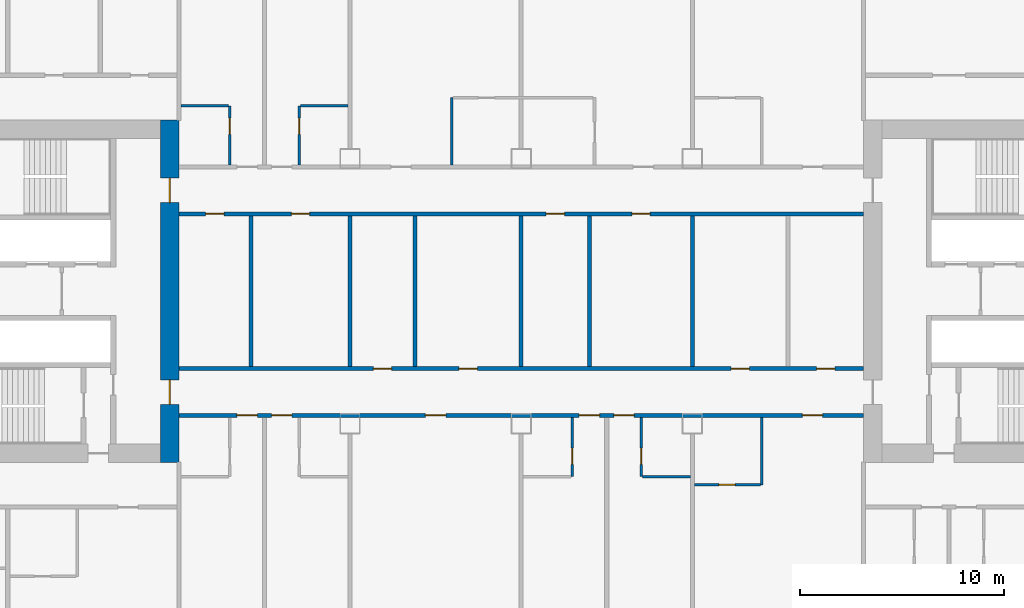
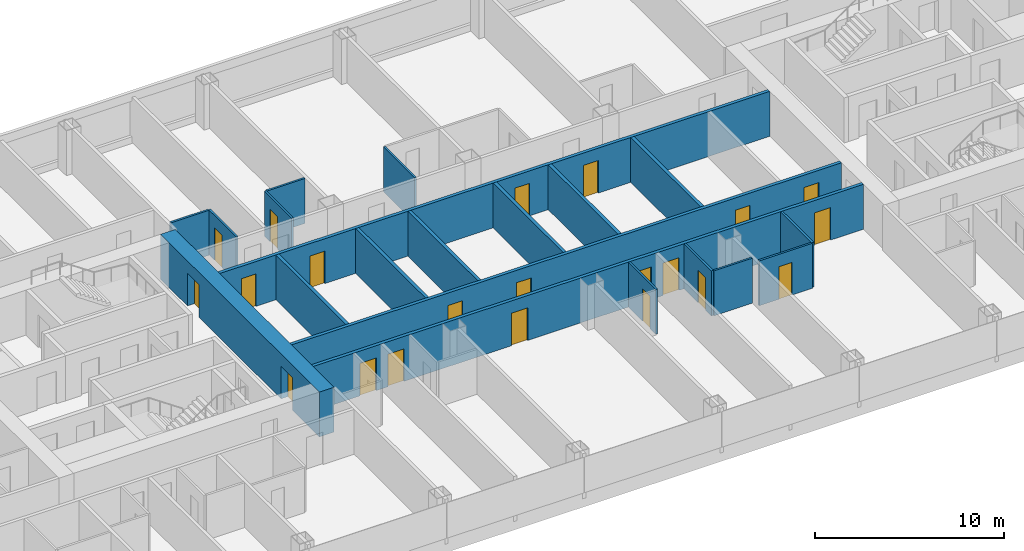
# One storey, part 16 of 29: 21 doors, 20 walls, 21 openings.
"""IFC4 building model written with IfcOpenShell, lengths in metres."""

from ifc_helpers import new_model, si_unit, direction, frame, frame_2d, origin, place, context, subcontext, project, spatial, rectangle, extrude, material, layer, layer_set, type_object, element, fill, save


model = new_model("IFC4")

# Units and contexts
model_context = context("Model", 3, precision=1e-05, world=origin(), true_north=direction((0.0, 1.0)))
body_context = subcontext(model_context, "Body", "Model", "MODEL_VIEW")
ifc_project = project(units=[si_unit("LENGTHUNIT", "METRE"), si_unit("AREAUNIT", "SQUARE_METRE"), si_unit("VOLUMEUNIT", "CUBIC_METRE"), si_unit("PLANEANGLEUNIT", "RADIAN"), si_unit("MASSUNIT", "GRAM", prefix="KILO")], contexts=[model_context])

# Site, building, storey
site_placement = place(None, origin())
site = spatial("IfcSite", under=ifc_project, at=site_placement, CompositionType="ELEMENT")
building_placement = place(site_placement, origin())
building = spatial("IfcBuilding", under=site, at=building_placement, Name="Hakoniwa Tower and Hamabe Station Hall", CompositionType="ELEMENT")
storey_placement = place(building_placement, frame((0.0, 0.0, 61.39990234375)))
storey = spatial("IfcBuildingStorey", under=building, at=storey_placement, Name="L17", CompositionType="ELEMENT", Elevation=61.39990234375)

# Wall, opening, door
ifc_material_1 = material(Name="Gypsum board partition", Category="gypsum")
ifc_layer_1 = layer(ifc_material_1, 0.125)
ifc_layer_set_1 = layer_set([ifc_layer_1], Name="Bathroom Partition 125")
wall_type_1 = type_object("IfcWallType", Name="Bathroom Partition 125", PredefinedType="PARTITIONING", material=ifc_layer_set_1)
wall_1_placement = place(storey_placement, frame((8.5, -9.5, 0.0), z_axis=(0.0, 0.0, 1.0), x_axis=(1.0, 0.0, 0.0)))
wall_1 = element("IfcWall", 1, at=wall_1_placement, inside=storey, type_object=wall_type_1, Name="GW-L17-015", PredefinedType="PARTITIONING", context=body_context, shape_type="SweptSolid", body=[
    extrude(rectangle(XDim=3.237548828125, YDim=0.125, at=frame_2d((1.61865234375, 0.0))), origin(), (0.0, 0.0, 1.0), 2.900146484375),
])
opening_1_placement = place(wall_1_placement, frame((1.199951171875, 0.0, 0.0)))
opening_1 = element("IfcOpeningElement", 2, at=opening_1_placement, cuts=wall_1, Name="Opening GD-G1D2-15", PredefinedType="OPENING", context=body_context, shape_type="SweptSolid", body=[
    extrude(rectangle(XDim=0.800048828125, YDim=2.10009765625, at=frame_2d((0.39990234375, 1.050048828125))), frame((0.0, 0.072509765625, 0.0), z_axis=(0.0, -1.0, 0.0), x_axis=(1.0, 0.0, 0.0)), (0.0, 0.0, 1.0), 0.14501953125),
])
ifc_material_2 = material(Name="Timber door leaf", Category="wood")
door_type_1 = type_object("IfcDoorType", Name="Bathroom Door 800", OperationType="SINGLE_SWING_LEFT", PredefinedType="DOOR", material=ifc_material_2)
door_1_placement = place(opening_1_placement, origin())
door_1 = element("IfcDoor", 3, at=door_1_placement, inside=storey, type_object=door_type_1, Name="Door GD-G1D2-15", OperationType="SINGLE_SWING_RIGHT", OverallHeight=2.10009765625, OverallWidth=0.800048828125, PredefinedType="DOOR", context=body_context, shape_type="SweptSolid", body=[
    extrude(rectangle(XDim=0.800048828125, YDim=2.10009765625, at=frame_2d((0.39990234375, 1.050048828125))), frame((0.0, 0.02490234375, 0.0), z_axis=(0.0, -1.0, 0.0), x_axis=(1.0, 0.0, 0.0)), (0.0, 0.0, 1.0), 0.050048828125),
])
fill(opening_1, door_1)

# Walls
wall_2_placement = place(storey_placement, frame((5.96240234375, -9.10009765625, 0.0), z_axis=(0.0, 0.0, 1.0), x_axis=(1.0, 0.0, 0.0)))
element("IfcWall", 4, at=wall_2_placement, inside=storey, type_object=wall_type_1, Name="GW-L17-019", PredefinedType="PARTITIONING", context=body_context, shape_type="SweptSolid", body=[
    extrude(rectangle(XDim=2.337646484375, YDim=0.125, at=frame_2d((1.1689453125, 0.0))), origin(), (0.0, 0.0, 1.0), 2.900146484375),
])
for number, where, z_axis, x_axis, name in (
    (5, (-16.699951171875, 9.10009765625, 0.0), (0.0, 0.0, 1.0), (1.0, 0.0, 0.0), "GW-L17-038"),
    (6, (-10.83740234375, 9.10009765625, 0.0), (0.0, 0.0, 1.0), (1.0, 0.0, 0.0), "GW-L17-039"),
):
    element("IfcWall", number, at=place(storey_placement, frame(where, z_axis=z_axis, x_axis=x_axis)), inside=storey, type_object=wall_type_1, Name=name, PredefinedType="PARTITIONING", context=body_context, shape_type="SweptSolid", body=[
        extrude(rectangle(XDim=2.33740234375, YDim=0.125, at=frame_2d((1.168701171875, 0.0))), origin(), (0.0, 0.0, 1.0), 2.900146484375),
    ])

# Wall, opening, door
wall_3_placement = place(storey_placement, frame((-14.300048828125, 6.199951171875, 0.0), z_axis=(0.0, 0.0, 1.0), x_axis=(0.0, 1.0, 0.0)))
wall_3 = element("IfcWall", 7, at=wall_3_placement, inside=storey, type_object=wall_type_1, Name="GW-L17-071", PredefinedType="PARTITIONING", context=body_context, shape_type="SweptSolid", body=[
    extrude(rectangle(XDim=2.900146484375, YDim=0.125, at=frame_2d((1.4501953125, 0.0))), origin(), (0.0, 0.0, 1.0), 2.900146484375),
])
opening_2_placement = place(wall_3_placement, frame((1.5, 0.0, 0.0)))
opening_2 = element("IfcOpeningElement", 8, at=opening_2_placement, cuts=wall_3, Name="Opening GD-G1D2-70", PredefinedType="OPENING", context=body_context, shape_type="SweptSolid", body=[
    extrude(rectangle(XDim=0.800048828125, YDim=2.10009765625, at=frame_2d((0.39990234375, 1.050048828125))), frame((0.0, 0.072509765625, 0.0), z_axis=(0.0, -1.0, 0.0), x_axis=(1.0, 0.0, 0.0)), (0.0, 0.0, 1.0), 0.14501953125),
])
door_2_placement = place(opening_2_placement, origin())
door_2 = element("IfcDoor", 9, at=door_2_placement, inside=storey, type_object=door_type_1, Name="Door GD-G1D2-70", OperationType="SINGLE_SWING_LEFT", OverallHeight=2.10009765625, OverallWidth=0.800048828125, PredefinedType="DOOR", context=body_context, shape_type="SweptSolid", body=[
    extrude(rectangle(XDim=0.800048828125, YDim=2.10009765625, at=frame_2d((0.39990234375, 1.050048828125))), frame((0.0, 0.02490234375, 0.0), z_axis=(0.0, -1.0, 0.0), x_axis=(1.0, 0.0, 0.0)), (0.0, 0.0, 1.0), 0.050048828125),
])
fill(opening_2, door_2)

wall_4_placement = place(storey_placement, frame((-10.89990234375, 6.199951171875, 0.0), z_axis=(0.0, 0.0, 1.0), x_axis=(0.0, 1.0, 0.0)))
wall_4 = element("IfcWall", 10, at=wall_4_placement, inside=storey, type_object=wall_type_1, Name="GW-L17-076", PredefinedType="PARTITIONING", context=body_context, shape_type="SweptSolid", body=[
    extrude(rectangle(XDim=2.900146484375, YDim=0.125, at=frame_2d((1.4501953125, 0.0))), origin(), (0.0, 0.0, 1.0), 2.900146484375),
])
opening_3_placement = place(wall_4_placement, frame((1.5, 0.0, 0.0)))
opening_3 = element("IfcOpeningElement", 11, at=opening_3_placement, cuts=wall_4, Name="Opening GD-G1D2-72", PredefinedType="OPENING", context=body_context, shape_type="SweptSolid", body=[
    extrude(rectangle(XDim=0.800048828125, YDim=2.10009765625, at=frame_2d((0.39990234375, 1.050048828125))), frame((0.0, 0.072509765625, 0.0), z_axis=(0.0, -1.0, 0.0), x_axis=(1.0, 0.0, 0.0)), (0.0, 0.0, 1.0), 0.14501953125),
])
door_3_placement = place(opening_3_placement, origin())
door_3 = element("IfcDoor", 12, at=door_3_placement, inside=storey, type_object=door_type_1, Name="Door GD-G1D2-72", OperationType="SINGLE_SWING_RIGHT", OverallHeight=2.10009765625, OverallWidth=0.800048828125, PredefinedType="DOOR", context=body_context, shape_type="SweptSolid", body=[
    extrude(rectangle(XDim=0.800048828125, YDim=2.10009765625, at=frame_2d((0.39990234375, 1.050048828125))), frame((0.0, 0.02490234375, 0.0), z_axis=(0.0, -1.0, 0.0), x_axis=(1.0, 0.0, 0.0)), (0.0, 0.0, 1.0), 0.050048828125),
])
fill(opening_3, door_3)

# Wall
wall_5_placement = place(storey_placement, frame((-3.39990234375, 6.199951171875, 0.0), z_axis=(0.0, 0.0, 1.0), x_axis=(0.0, 1.0, 0.0)))
element("IfcWall", 13, at=wall_5_placement, inside=storey, type_object=wall_type_1, Name="GW-L17-081", PredefinedType="PARTITIONING", context=body_context, shape_type="SweptSolid", body=[
    extrude(rectangle(XDim=3.300048828125, YDim=0.125, at=frame_2d((1.64990234375, 0.0))), origin(), (0.0, 0.0, 1.0), 2.900146484375),
])

# Wall, opening, door
wall_6_placement = place(storey_placement, frame((2.5, -9.10009765625, 0.0), z_axis=(0.0, 0.0, 1.0), x_axis=(0.0, 1.0, 0.0)))
wall_6 = element("IfcWall", 14, at=wall_6_placement, inside=storey, type_object=wall_type_1, Name="GW-L17-085", PredefinedType="PARTITIONING", context=body_context, shape_type="SweptSolid", body=[
    extrude(rectangle(XDim=2.900146484375, YDim=0.125, at=frame_2d((1.4501953125, 0.0))), origin(), (0.0, 0.0, 1.0), 2.900146484375),
])
opening_4_placement = place(wall_6_placement, frame((0.60009765625, 0.0, 0.0)))
opening_4 = element("IfcOpeningElement", 15, at=opening_4_placement, cuts=wall_6, Name="Opening GD-G1D2-73", PredefinedType="OPENING", context=body_context, shape_type="SweptSolid", body=[
    extrude(rectangle(XDim=0.800048828125, YDim=2.10009765625, at=frame_2d((0.39990234375, 1.050048828125))), frame((0.0, 0.072509765625, 0.0), z_axis=(0.0, -1.0, 0.0), x_axis=(1.0, 0.0, 0.0)), (0.0, 0.0, 1.0), 0.14501953125),
])
door_4_placement = place(opening_4_placement, origin())
door_4 = element("IfcDoor", 16, at=door_4_placement, inside=storey, type_object=door_type_1, Name="Door GD-G1D2-73", OperationType="SINGLE_SWING_RIGHT", OverallHeight=2.10009765625, OverallWidth=0.800048828125, PredefinedType="DOOR", context=body_context, shape_type="SweptSolid", body=[
    extrude(rectangle(XDim=0.800048828125, YDim=2.10009765625, at=frame_2d((0.39990234375, 1.050048828125))), frame((0.0, 0.02490234375, 0.0), z_axis=(0.0, -1.0, 0.0), x_axis=(1.0, 0.0, 0.0)), (0.0, 0.0, 1.0), 0.050048828125),
])
fill(opening_4, door_4)

wall_7_placement = place(storey_placement, frame((5.89990234375, -9.10009765625, 0.0), z_axis=(0.0, 0.0, 1.0), x_axis=(0.0, 1.0, 0.0)))
wall_7 = element("IfcWall", 17, at=wall_7_placement, inside=storey, type_object=wall_type_1, Name="GW-L17-089", PredefinedType="PARTITIONING", context=body_context, shape_type="SweptSolid", body=[
    extrude(rectangle(XDim=2.900146484375, YDim=0.125, at=frame_2d((1.4501953125, 0.0))), origin(), (0.0, 0.0, 1.0), 2.900146484375),
])
opening_5_placement = place(wall_7_placement, frame((0.60009765625, 0.0, 0.0)))
opening_5 = element("IfcOpeningElement", 18, at=opening_5_placement, cuts=wall_7, Name="Opening GD-G1D2-75", PredefinedType="OPENING", context=body_context, shape_type="SweptSolid", body=[
    extrude(rectangle(XDim=0.800048828125, YDim=2.10009765625, at=frame_2d((0.39990234375, 1.050048828125))), frame((0.0, 0.072509765625, 0.0), z_axis=(0.0, -1.0, 0.0), x_axis=(1.0, 0.0, 0.0)), (0.0, 0.0, 1.0), 0.14501953125),
])
door_5_placement = place(opening_5_placement, origin())
door_5 = element("IfcDoor", 19, at=door_5_placement, inside=storey, type_object=door_type_1, Name="Door GD-G1D2-75", OperationType="SINGLE_SWING_LEFT", OverallHeight=2.10009765625, OverallWidth=0.800048828125, PredefinedType="DOOR", context=body_context, shape_type="SweptSolid", body=[
    extrude(rectangle(XDim=0.800048828125, YDim=2.10009765625, at=frame_2d((0.39990234375, 1.050048828125))), frame((0.0, 0.02490234375, 0.0), z_axis=(0.0, -1.0, 0.0), x_axis=(1.0, 0.0, 0.0)), (0.0, 0.0, 1.0), 0.050048828125),
])
fill(opening_5, door_5)

# Wall
wall_8_placement = place(storey_placement, frame((11.800048828125, -9.5, 0.0), z_axis=(0.0, 0.0, 1.0), x_axis=(0.0, 1.0, 0.0)))
element("IfcWall", 20, at=wall_8_placement, inside=storey, type_object=wall_type_1, Name="GW-L17-093", PredefinedType="PARTITIONING", context=body_context, shape_type="SweptSolid", body=[
    extrude(rectangle(XDim=3.300048828125, YDim=0.125, at=frame_2d((1.64990234375, 0.0))), origin(), (0.0, 0.0, 1.0), 2.900146484375),
])

# Wall, openings, doors
ifc_material_3 = material(Name="Concrete C80", Category="concrete")
ifc_layer_2 = layer(ifc_material_3, 0.89990234375)
ifc_layer_set_2 = layer_set([ifc_layer_2], Name="CORE WALL 900 C80")
wall_type_2 = type_object("IfcWallType", Name="CORE WALL 900 C80", PredefinedType="SHEAR", material=ifc_layer_set_2)
wall_9_placement = place(storey_placement, frame((-17.25, -8.39990234375, 0.0), z_axis=(0.0, 0.0, 1.0), x_axis=(0.0, 1.0, 0.0)))
wall_9 = element("IfcWall", 21, at=wall_9_placement, inside=storey, type_object=wall_type_2, Name="Core wall INNER west", PredefinedType="SHEAR", context=body_context, shape_type="SweptSolid", body=[
    extrude(rectangle(XDim=16.7998046875, YDim=0.89990234375, at=frame_2d((8.39990234375, 0.0))), origin(), (0.0, 0.0, 1.0), 2.900146484375),
])
opening_6_placement = place(wall_9_placement, frame((12.75, 0.0, 0.0)))
opening_6 = element("IfcOpeningElement", 22, at=opening_6_placement, cuts=wall_9, Name="Opening CD-W-IN1-12", PredefinedType="OPENING", context=body_context, shape_type="SweptSolid", body=[
    extrude(rectangle(XDim=1.199951171875, YDim=2.10009765625, at=frame_2d((0.60009765625, 1.050048828125))), frame((0.0, 0.4599609375, 0.0), z_axis=(0.0, -1.0, 0.0), x_axis=(1.0, 0.0, 0.0)), (0.0, 0.0, 1.0), 0.919921875),
])
opening_7_placement = place(wall_9_placement, frame((2.85009765625, 0.0, 0.0)))
opening_7 = element("IfcOpeningElement", 23, at=opening_7_placement, cuts=wall_9, Name="Opening CD-W-IN2-12", PredefinedType="OPENING", context=body_context, shape_type="SweptSolid", body=[
    extrude(rectangle(XDim=1.199951171875, YDim=2.10009765625, at=frame_2d((0.60009765625, 1.050048828125))), frame((0.0, 0.4599609375, 0.0), z_axis=(0.0, -1.0, 0.0), x_axis=(1.0, 0.0, 0.0)), (0.0, 0.0, 1.0), 0.919921875),
])
ifc_material_4 = material(Name="Steel fire door", Category="steel")
door_type_2 = type_object("IfcDoorType", Name="CORE DOOR 1200 FD60", OperationType="DOUBLE_DOOR_SINGLE_SWING", PredefinedType="DOOR", material=ifc_material_4)
door_6_placement = place(opening_6_placement, origin())
door_6 = element("IfcDoor", 24, at=door_6_placement, inside=storey, type_object=door_type_2, Name="Lift lobby door", OperationType="DOUBLE_DOOR_SINGLE_SWING", OverallHeight=2.10009765625, OverallWidth=1.199951171875, PredefinedType="DOOR", context=body_context, shape_type="SweptSolid", body=[
    extrude(rectangle(XDim=1.199951171875, YDim=2.10009765625, at=frame_2d((0.60009765625, 1.050048828125))), frame((0.0, 0.02490234375, 0.0), z_axis=(0.0, -1.0, 0.0), x_axis=(1.0, 0.0, 0.0)), (0.0, 0.0, 1.0), 0.050048828125),
])
fill(opening_6, door_6)
door_7_placement = place(opening_7_placement, origin())
door_7 = element("IfcDoor", 25, at=door_7_placement, inside=storey, type_object=door_type_2, Name="Lift lobby door", OperationType="DOUBLE_DOOR_SINGLE_SWING", OverallHeight=2.10009765625, OverallWidth=1.199951171875, PredefinedType="DOOR", context=body_context, shape_type="SweptSolid", body=[
    extrude(rectangle(XDim=1.199951171875, YDim=2.10009765625, at=frame_2d((0.60009765625, 1.050048828125))), frame((0.0, 0.02490234375, 0.0), z_axis=(0.0, -1.0, 0.0), x_axis=(1.0, 0.0, 0.0)), (0.0, 0.0, 1.0), 0.050048828125),
])
fill(opening_7, door_7)

ifc_material_5 = material(Name="Fire-rated gypsum board partition", Category="gypsum")
ifc_layer_3 = layer(ifc_material_5, 0.199951171875)
ifc_layer_set_3 = layer_set([ifc_layer_3], Name="Corridor Wall 200")
wall_type_3 = type_object("IfcWallType", Name="Corridor Wall 200", PredefinedType="PARTITIONING", material=ifc_layer_set_3)
wall_10_placement = place(storey_placement, frame((-16.800048828125, -6.10009765625, 0.0), z_axis=(0.0, 0.0, 1.0), x_axis=(1.0, 0.0, 0.0)))
wall_10 = element("IfcWall", 26, at=wall_10_placement, inside=storey, type_object=wall_type_3, Name="GW-L17-022", PredefinedType="PARTITIONING", context=body_context, shape_type="SweptSolid", body=[
    extrude(rectangle(XDim=33.60009765625, YDim=0.199951171875, at=frame_2d((16.800048828125, 0.0))), origin(), (0.0, 0.0, 1.0), 2.900146484375),
])
opening_8_placement = place(wall_10_placement, frame((2.85009765625, 0.0, 0.0)))
opening_8 = element("IfcOpeningElement", 27, at=opening_8_placement, cuts=wall_10, Name="Opening GD-G1D2-20", PredefinedType="OPENING", context=body_context, shape_type="SweptSolid", body=[
    extrude(rectangle(XDim=1.0, YDim=2.10009765625, at=frame_2d((0.5, 1.050048828125))), frame((0.0, 0.10986328125, 0.0), z_axis=(0.0, -1.0, 0.0), x_axis=(1.0, 0.0, 0.0)), (0.0, 0.0, 1.0), 0.219970703125),
])
opening_9_placement = place(wall_10_placement, frame((4.550048828125, 0.0, 0.0)))
opening_9 = element("IfcOpeningElement", 28, at=opening_9_placement, cuts=wall_10, Name="Opening GD-G1D2-21", PredefinedType="OPENING", context=body_context, shape_type="SweptSolid", body=[
    extrude(rectangle(XDim=1.0, YDim=2.10009765625, at=frame_2d((0.5, 1.050048828125))), frame((0.0, 0.10986328125, 0.0), z_axis=(0.0, -1.0, 0.0), x_axis=(1.0, 0.0, 0.0)), (0.0, 0.0, 1.0), 0.219970703125),
])
opening_10_placement = place(wall_10_placement, frame((12.10009765625, 0.0, 0.0)))
opening_10 = element("IfcOpeningElement", 29, at=opening_10_placement, cuts=wall_10, Name="Opening GD-G1D2-22", PredefinedType="OPENING", context=body_context, shape_type="SweptSolid", body=[
    extrude(rectangle(XDim=1.0, YDim=2.10009765625, at=frame_2d((0.5, 1.050048828125))), frame((0.0, 0.10986328125, 0.0), z_axis=(0.0, -1.0, 0.0), x_axis=(1.0, 0.0, 0.0)), (0.0, 0.0, 1.0), 0.219970703125),
])
opening_11_placement = place(wall_10_placement, frame((19.64990234375, 0.0, 0.0)))
opening_11 = element("IfcOpeningElement", 30, at=opening_11_placement, cuts=wall_10, Name="Opening GD-G1D2-23", PredefinedType="OPENING", context=body_context, shape_type="SweptSolid", body=[
    extrude(rectangle(XDim=1.0, YDim=2.10009765625, at=frame_2d((0.5, 1.050048828125))), frame((0.0, 0.10986328125, 0.0), z_axis=(0.0, -1.0, 0.0), x_axis=(1.0, 0.0, 0.0)), (0.0, 0.0, 1.0), 0.219970703125),
])
opening_12_placement = place(wall_10_placement, frame((21.35009765625, 0.0, 0.0)))
opening_12 = element("IfcOpeningElement", 31, at=opening_12_placement, cuts=wall_10, Name="Opening GD-G1D2-24", PredefinedType="OPENING", context=body_context, shape_type="SweptSolid", body=[
    extrude(rectangle(XDim=1.0, YDim=2.10009765625, at=frame_2d((0.5, 1.050048828125))), frame((0.0, 0.10986328125, 0.0), z_axis=(0.0, -1.0, 0.0), x_axis=(1.0, 0.0, 0.0)), (0.0, 0.0, 1.0), 0.219970703125),
])
opening_13_placement = place(wall_10_placement, frame((30.60009765625, 0.0, 0.0)))
opening_13 = element("IfcOpeningElement", 32, at=opening_13_placement, cuts=wall_10, Name="Opening GD-G1D2-25", PredefinedType="OPENING", context=body_context, shape_type="SweptSolid", body=[
    extrude(rectangle(XDim=1.0, YDim=2.10009765625, at=frame_2d((0.5, 1.050048828125))), frame((0.0, 0.10986328125, 0.0), z_axis=(0.0, -1.0, 0.0), x_axis=(1.0, 0.0, 0.0)), (0.0, 0.0, 1.0), 0.219970703125),
])
ifc_material_6 = material(Name="Timber door leaf", Category="wood")
door_type_3 = type_object("IfcDoorType", Name="Guest Entrance Door 1000", OperationType="SINGLE_SWING_LEFT", PredefinedType="DOOR", material=ifc_material_6)
door_8_placement = place(opening_8_placement, origin())
door_8 = element("IfcDoor", 33, at=door_8_placement, inside=storey, type_object=door_type_3, Name="Door GD-G1D2-20", OperationType="SINGLE_SWING_LEFT", OverallHeight=2.10009765625, OverallWidth=1.0, PredefinedType="DOOR", context=body_context, shape_type="SweptSolid", body=[
    extrude(rectangle(XDim=1.0, YDim=2.10009765625, at=frame_2d((0.5, 1.050048828125))), frame((0.0, 0.02490234375, 0.0), z_axis=(0.0, -1.0, 0.0), x_axis=(1.0, 0.0, 0.0)), (0.0, 0.0, 1.0), 0.050048828125),
])
fill(opening_8, door_8)
door_9_placement = place(opening_9_placement, origin())
door_9 = element("IfcDoor", 34, at=door_9_placement, inside=storey, type_object=door_type_3, Name="Door GD-G1D2-21", OperationType="SINGLE_SWING_RIGHT", OverallHeight=2.10009765625, OverallWidth=1.0, PredefinedType="DOOR", context=body_context, shape_type="SweptSolid", body=[
    extrude(rectangle(XDim=1.0, YDim=2.10009765625, at=frame_2d((0.5, 1.050048828125))), frame((0.0, 0.02490234375, 0.0), z_axis=(0.0, -1.0, 0.0), x_axis=(1.0, 0.0, 0.0)), (0.0, 0.0, 1.0), 0.050048828125),
])
fill(opening_9, door_9)
door_10_placement = place(opening_10_placement, origin())
door_10 = element("IfcDoor", 35, at=door_10_placement, inside=storey, type_object=door_type_3, Name="Door GD-G1D2-22", OperationType="SINGLE_SWING_LEFT", OverallHeight=2.10009765625, OverallWidth=1.0, PredefinedType="DOOR", context=body_context, shape_type="SweptSolid", body=[
    extrude(rectangle(XDim=1.0, YDim=2.10009765625, at=frame_2d((0.5, 1.050048828125))), frame((0.0, 0.02490234375, 0.0), z_axis=(0.0, -1.0, 0.0), x_axis=(1.0, 0.0, 0.0)), (0.0, 0.0, 1.0), 0.050048828125),
])
fill(opening_10, door_10)
door_11_placement = place(opening_11_placement, origin())
door_11 = element("IfcDoor", 36, at=door_11_placement, inside=storey, type_object=door_type_3, Name="Door GD-G1D2-23", OperationType="SINGLE_SWING_RIGHT", OverallHeight=2.10009765625, OverallWidth=1.0, PredefinedType="DOOR", context=body_context, shape_type="SweptSolid", body=[
    extrude(rectangle(XDim=1.0, YDim=2.10009765625, at=frame_2d((0.5, 1.050048828125))), frame((0.0, 0.02490234375, 0.0), z_axis=(0.0, -1.0, 0.0), x_axis=(1.0, 0.0, 0.0)), (0.0, 0.0, 1.0), 0.050048828125),
])
fill(opening_11, door_11)
door_12_placement = place(opening_12_placement, origin())
door_12 = element("IfcDoor", 37, at=door_12_placement, inside=storey, type_object=door_type_3, Name="Door GD-G1D2-24", OperationType="SINGLE_SWING_LEFT", OverallHeight=2.10009765625, OverallWidth=1.0, PredefinedType="DOOR", context=body_context, shape_type="SweptSolid", body=[
    extrude(rectangle(XDim=1.0, YDim=2.10009765625, at=frame_2d((0.5, 1.050048828125))), frame((0.0, 0.02490234375, 0.0), z_axis=(0.0, -1.0, 0.0), x_axis=(1.0, 0.0, 0.0)), (0.0, 0.0, 1.0), 0.050048828125),
])
fill(opening_12, door_12)
door_13_placement = place(opening_13_placement, origin())
door_13 = element("IfcDoor", 38, at=door_13_placement, inside=storey, type_object=door_type_3, Name="Door GD-G1D2-25", OperationType="SINGLE_SWING_RIGHT", OverallHeight=2.10009765625, OverallWidth=1.0, PredefinedType="DOOR", context=body_context, shape_type="SweptSolid", body=[
    extrude(rectangle(XDim=1.0, YDim=2.10009765625, at=frame_2d((0.5, 1.050048828125))), frame((0.0, 0.02490234375, 0.0), z_axis=(0.0, -1.0, 0.0), x_axis=(1.0, 0.0, 0.0)), (0.0, 0.0, 1.0), 0.050048828125),
])
fill(opening_13, door_13)

wall_11_placement = place(storey_placement, frame((-16.800048828125, -3.800048828125, 0.0), z_axis=(0.0, 0.0, 1.0), x_axis=(1.0, 0.0, 0.0)))
wall_11 = element("IfcWall", 39, at=wall_11_placement, inside=storey, type_object=wall_type_3, Name="GW-L17-027", PredefinedType="PARTITIONING", context=body_context, shape_type="SweptSolid", body=[
    extrude(rectangle(XDim=33.60009765625, YDim=0.199951171875, at=frame_2d((16.800048828125, 0.0))), origin(), (0.0, 0.0, 1.0), 2.900146484375),
])
opening_14_placement = place(wall_11_placement, frame((9.544921875, 0.0, 0.0)))
opening_14 = element("IfcOpeningElement", 40, at=opening_14_placement, cuts=wall_11, Name="Opening GD-G1D2-30", PredefinedType="OPENING", context=body_context, shape_type="SweptSolid", body=[
    extrude(rectangle(XDim=0.89990234375, YDim=2.10009765625, at=frame_2d((0.449951171875, 1.050048828125))), frame((0.0, 0.10986328125, 0.0), z_axis=(0.0, -1.0, 0.0), x_axis=(1.0, 0.0, 0.0)), (0.0, 0.0, 1.0), 0.219970703125),
])
opening_15_placement = place(wall_11_placement, frame((13.7451171875, 0.0, 0.0)))
opening_15 = element("IfcOpeningElement", 41, at=opening_15_placement, cuts=wall_11, Name="Opening GD-G1D2-31", PredefinedType="OPENING", context=body_context, shape_type="SweptSolid", body=[
    extrude(rectangle(XDim=0.89990234375, YDim=2.10009765625, at=frame_2d((0.449951171875, 1.050048828125))), frame((0.0, 0.10986328125, 0.0), z_axis=(0.0, -1.0, 0.0), x_axis=(1.0, 0.0, 0.0)), (0.0, 0.0, 1.0), 0.219970703125),
])
opening_16_placement = place(wall_11_placement, frame((27.10009765625, 0.0, 0.0)))
opening_16 = element("IfcOpeningElement", 42, at=opening_16_placement, cuts=wall_11, Name="Opening GD-G1D2-32", PredefinedType="OPENING", context=body_context, shape_type="SweptSolid", body=[
    extrude(rectangle(XDim=0.89990234375, YDim=2.10009765625, at=frame_2d((0.449951171875, 1.050048828125))), frame((0.0, 0.10986328125, 0.0), z_axis=(0.0, -1.0, 0.0), x_axis=(1.0, 0.0, 0.0)), (0.0, 0.0, 1.0), 0.219970703125),
])
opening_17_placement = place(wall_11_placement, frame((31.300048828125, 0.0, 0.0)))
opening_17 = element("IfcOpeningElement", 43, at=opening_17_placement, cuts=wall_11, Name="Opening GD-G1D2-33", PredefinedType="OPENING", context=body_context, shape_type="SweptSolid", body=[
    extrude(rectangle(XDim=0.89990234375, YDim=2.10009765625, at=frame_2d((0.449951171875, 1.050048828125))), frame((0.0, 0.10986328125, 0.0), z_axis=(0.0, -1.0, 0.0), x_axis=(1.0, 0.0, 0.0)), (0.0, 0.0, 1.0), 0.219970703125),
])
ifc_material_7 = material(Name="Timber door leaf", Category="wood")
door_type_4 = type_object("IfcDoorType", Name="Service Door 900", OperationType="SINGLE_SWING_LEFT", PredefinedType="DOOR", material=ifc_material_7)
door_14_placement = place(opening_14_placement, origin())
door_14 = element("IfcDoor", 44, at=door_14_placement, inside=storey, type_object=door_type_4, Name="Door GD-G1D2-30", OperationType="SINGLE_SWING_LEFT", OverallHeight=2.10009765625, OverallWidth=0.89990234375, PredefinedType="DOOR", context=body_context, shape_type="SweptSolid", body=[
    extrude(rectangle(XDim=0.89990234375, YDim=2.10009765625, at=frame_2d((0.449951171875, 1.050048828125))), frame((0.0, 0.02490234375, 0.0), z_axis=(0.0, -1.0, 0.0), x_axis=(1.0, 0.0, 0.0)), (0.0, 0.0, 1.0), 0.050048828125),
])
fill(opening_14, door_14)
door_15_placement = place(opening_15_placement, origin())
door_15 = element("IfcDoor", 45, at=door_15_placement, inside=storey, type_object=door_type_4, Name="Door GD-G1D2-31", OperationType="SINGLE_SWING_RIGHT", OverallHeight=2.10009765625, OverallWidth=0.89990234375, PredefinedType="DOOR", context=body_context, shape_type="SweptSolid", body=[
    extrude(rectangle(XDim=0.89990234375, YDim=2.10009765625, at=frame_2d((0.449951171875, 1.050048828125))), frame((0.0, 0.02490234375, 0.0), z_axis=(0.0, -1.0, 0.0), x_axis=(1.0, 0.0, 0.0)), (0.0, 0.0, 1.0), 0.050048828125),
])
fill(opening_15, door_15)
door_16_placement = place(opening_16_placement, origin())
door_16 = element("IfcDoor", 46, at=door_16_placement, inside=storey, type_object=door_type_4, Name="Door GD-G1D2-32", OperationType="SINGLE_SWING_LEFT", OverallHeight=2.10009765625, OverallWidth=0.89990234375, PredefinedType="DOOR", context=body_context, shape_type="SweptSolid", body=[
    extrude(rectangle(XDim=0.89990234375, YDim=2.10009765625, at=frame_2d((0.449951171875, 1.050048828125))), frame((0.0, 0.02490234375, 0.0), z_axis=(0.0, -1.0, 0.0), x_axis=(1.0, 0.0, 0.0)), (0.0, 0.0, 1.0), 0.050048828125),
])
fill(opening_16, door_16)
door_17_placement = place(opening_17_placement, origin())
door_17 = element("IfcDoor", 47, at=door_17_placement, inside=storey, type_object=door_type_4, Name="Door GD-G1D2-33", OperationType="SINGLE_SWING_RIGHT", OverallHeight=2.10009765625, OverallWidth=0.89990234375, PredefinedType="DOOR", context=body_context, shape_type="SweptSolid", body=[
    extrude(rectangle(XDim=0.89990234375, YDim=2.10009765625, at=frame_2d((0.449951171875, 1.050048828125))), frame((0.0, 0.02490234375, 0.0), z_axis=(0.0, -1.0, 0.0), x_axis=(1.0, 0.0, 0.0)), (0.0, 0.0, 1.0), 0.050048828125),
])
fill(opening_17, door_17)

wall_12_placement = place(storey_placement, frame((-16.800048828125, 3.800048828125, 0.0), z_axis=(0.0, 0.0, 1.0), x_axis=(1.0, 0.0, 0.0)))
wall_12 = element("IfcWall", 48, at=wall_12_placement, inside=storey, type_object=wall_type_3, Name="GW-L17-030", PredefinedType="PARTITIONING", context=body_context, shape_type="SweptSolid", body=[
    extrude(rectangle(XDim=33.60009765625, YDim=0.199951171875, at=frame_2d((16.800048828125, 0.0))), origin(), (0.0, 0.0, 1.0), 2.900146484375),
])
opening_18_placement = place(wall_12_placement, frame((1.31494140625, 0.0, 0.0)))
opening_18 = element("IfcOpeningElement", 49, at=opening_18_placement, cuts=wall_12, Name="Opening GD-G1D2-34", PredefinedType="OPENING", context=body_context, shape_type="SweptSolid", body=[
    extrude(rectangle(XDim=0.89990234375, YDim=2.10009765625, at=frame_2d((0.449951171875, 1.050048828125))), frame((0.0, 0.10986328125, 0.0), z_axis=(0.0, -1.0, 0.0), x_axis=(1.0, 0.0, 0.0)), (0.0, 0.0, 1.0), 0.219970703125),
])
opening_19_placement = place(wall_12_placement, frame((5.514892578125, 0.0, 0.0)))
opening_19 = element("IfcOpeningElement", 50, at=opening_19_placement, cuts=wall_12, Name="Opening GD-G1D2-35", PredefinedType="OPENING", context=body_context, shape_type="SweptSolid", body=[
    extrude(rectangle(XDim=0.89990234375, YDim=2.10009765625, at=frame_2d((0.449951171875, 1.050048828125))), frame((0.0, 0.10986328125, 0.0), z_axis=(0.0, -1.0, 0.0), x_axis=(1.0, 0.0, 0.0)), (0.0, 0.0, 1.0), 0.219970703125),
])
opening_20_placement = place(wall_12_placement, frame((18.030029296875, 0.0, 0.0)))
opening_20 = element("IfcOpeningElement", 51, at=opening_20_placement, cuts=wall_12, Name="Opening GD-G1D2-36", PredefinedType="OPENING", context=body_context, shape_type="SweptSolid", body=[
    extrude(rectangle(XDim=0.89990234375, YDim=2.10009765625, at=frame_2d((0.449951171875, 1.050048828125))), frame((0.0, 0.10986328125, 0.0), z_axis=(0.0, -1.0, 0.0), x_axis=(1.0, 0.0, 0.0)), (0.0, 0.0, 1.0), 0.219970703125),
])
opening_21_placement = place(wall_12_placement, frame((22.22998046875, 0.0, 0.0)))
opening_21 = element("IfcOpeningElement", 52, at=opening_21_placement, cuts=wall_12, Name="Opening GD-G1D2-37", PredefinedType="OPENING", context=body_context, shape_type="SweptSolid", body=[
    extrude(rectangle(XDim=0.89990234375, YDim=2.10009765625, at=frame_2d((0.449951171875, 1.050048828125))), frame((0.0, 0.10986328125, 0.0), z_axis=(0.0, -1.0, 0.0), x_axis=(1.0, 0.0, 0.0)), (0.0, 0.0, 1.0), 0.219970703125),
])
door_18_placement = place(opening_18_placement, origin())
door_18 = element("IfcDoor", 53, at=door_18_placement, inside=storey, type_object=door_type_4, Name="Door GD-G1D2-34", OperationType="SINGLE_SWING_RIGHT", OverallHeight=2.10009765625, OverallWidth=0.89990234375, PredefinedType="DOOR", context=body_context, shape_type="SweptSolid", body=[
    extrude(rectangle(XDim=0.89990234375, YDim=2.10009765625, at=frame_2d((0.449951171875, 1.050048828125))), frame((0.0, 0.02490234375, 0.0), z_axis=(0.0, -1.0, 0.0), x_axis=(1.0, 0.0, 0.0)), (0.0, 0.0, 1.0), 0.050048828125),
])
fill(opening_18, door_18)
door_19_placement = place(opening_19_placement, origin())
door_19 = element("IfcDoor", 54, at=door_19_placement, inside=storey, type_object=door_type_4, Name="Door GD-G1D2-35", OperationType="SINGLE_SWING_LEFT", OverallHeight=2.10009765625, OverallWidth=0.89990234375, PredefinedType="DOOR", context=body_context, shape_type="SweptSolid", body=[
    extrude(rectangle(XDim=0.89990234375, YDim=2.10009765625, at=frame_2d((0.449951171875, 1.050048828125))), frame((0.0, 0.02490234375, 0.0), z_axis=(0.0, -1.0, 0.0), x_axis=(1.0, 0.0, 0.0)), (0.0, 0.0, 1.0), 0.050048828125),
])
fill(opening_19, door_19)
door_20_placement = place(opening_20_placement, origin())
door_20 = element("IfcDoor", 55, at=door_20_placement, inside=storey, type_object=door_type_4, Name="Door GD-G1D2-36", OperationType="SINGLE_SWING_RIGHT", OverallHeight=2.10009765625, OverallWidth=0.89990234375, PredefinedType="DOOR", context=body_context, shape_type="SweptSolid", body=[
    extrude(rectangle(XDim=0.89990234375, YDim=2.10009765625, at=frame_2d((0.449951171875, 1.050048828125))), frame((0.0, 0.02490234375, 0.0), z_axis=(0.0, -1.0, 0.0), x_axis=(1.0, 0.0, 0.0)), (0.0, 0.0, 1.0), 0.050048828125),
])
fill(opening_20, door_20)
door_21_placement = place(opening_21_placement, origin())
door_21 = element("IfcDoor", 56, at=door_21_placement, inside=storey, type_object=door_type_4, Name="Door GD-G1D2-37", OperationType="SINGLE_SWING_LEFT", OverallHeight=2.10009765625, OverallWidth=0.89990234375, PredefinedType="DOOR", context=body_context, shape_type="SweptSolid", body=[
    extrude(rectangle(XDim=0.89990234375, YDim=2.10009765625, at=frame_2d((0.449951171875, 1.050048828125))), frame((0.0, 0.02490234375, 0.0), z_axis=(0.0, -1.0, 0.0), x_axis=(1.0, 0.0, 0.0)), (0.0, 0.0, 1.0), 0.050048828125),
])
fill(opening_21, door_21)

# Walls
ifc_material_8 = material(Name="Fire-rated gypsum board partition", Category="gypsum")
ifc_layer_4 = layer(ifc_material_8, 0.199951171875)
ifc_layer_set_4 = layer_set([ifc_layer_4], Name="Party Wall 200")
wall_type_4 = type_object("IfcWallType", Name="Party Wall 200", PredefinedType="PARTITIONING", material=ifc_layer_set_4)
for number, where, z_axis, x_axis, name in (
    (57, (-13.27001953125, -3.699951171875, 0.0), (0.0, 0.0, 1.0), (0.0, 1.0, 0.0), "GW-L17-072"),
    (58, (-8.39990234375, -3.699951171875, 0.0), (0.0, 0.0, 1.0), (0.0, 1.0, 0.0), "GW-L17-078"),
    (59, (-5.2099609375, -3.699951171875, 0.0), (0.0, 0.0, 1.0), (0.0, 1.0, 0.0), "GW-L17-080"),
    (60, (0.0, -3.699951171875, 0.0), (0.0, 0.0, 1.0), (0.0, 1.0, 0.0), "GW-L17-083"),
    (61, (3.360107421875, -3.699951171875, 0.0), (0.0, 0.0, 1.0), (0.0, 1.0, 0.0), "GW-L17-086"),
    (62, (8.39990234375, -3.699951171875, 0.0), (0.0, 0.0, 1.0), (0.0, 1.0, 0.0), "GW-L17-091"),
):
    element("IfcWall", number, at=place(storey_placement, frame(where, z_axis=z_axis, x_axis=x_axis)), inside=storey, type_object=wall_type_4, Name=name, PredefinedType="PARTITIONING", context=body_context, shape_type="SweptSolid", body=[
        extrude(rectangle(XDim=7.39990234375, YDim=0.199951171875, at=frame_2d((3.699951171875, 0.0))), origin(), (0.0, 0.0, 1.0), 2.900146484375),
    ])

save(model, "model.ifc")
